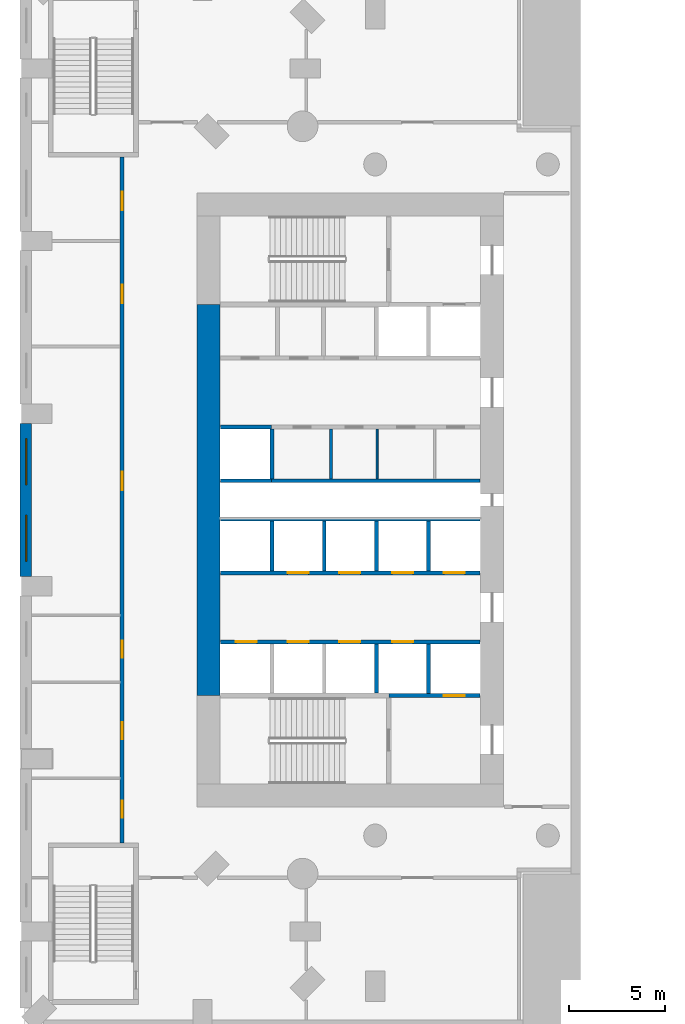
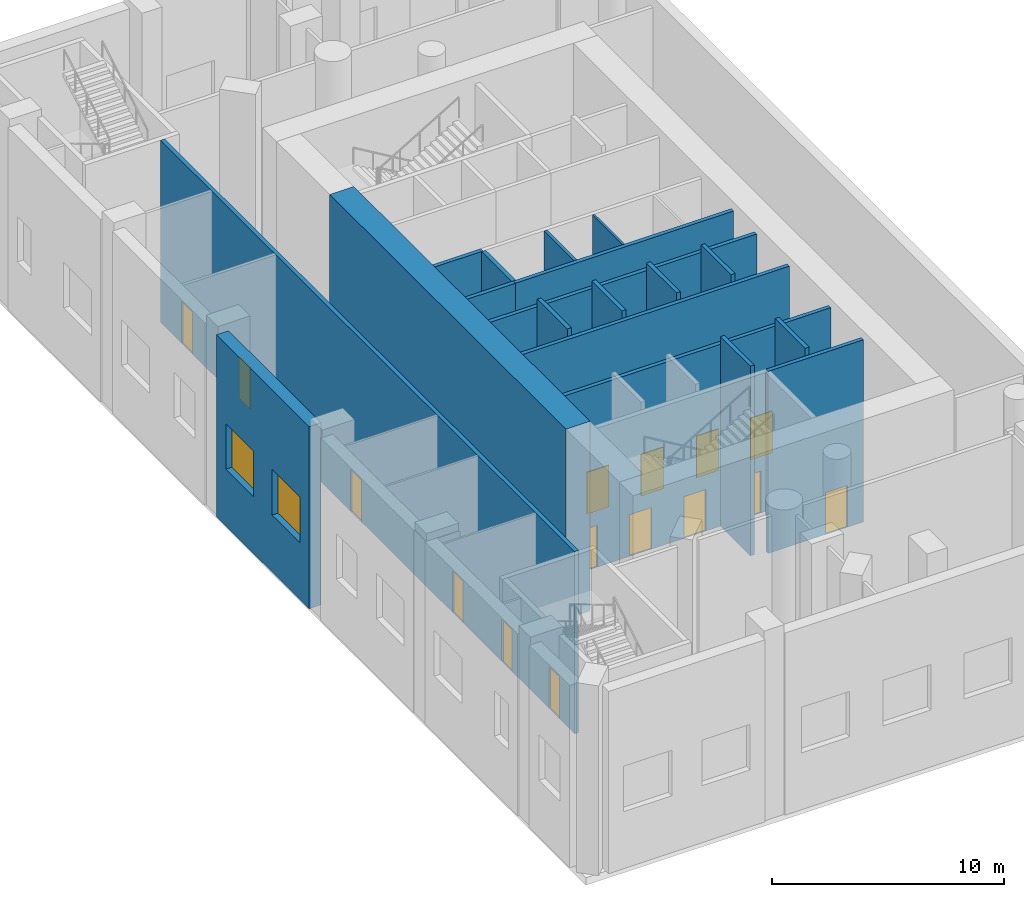
# One storey, part 3 of 16: 19 walls, 15 doors, 2 windows, 17 openings.
"""IFC4 building model written with IfcOpenShell, lengths in metres."""

from ifc_helpers import new_model, si_unit, direction, frame, frame_2d, origin, place, context, subcontext, project, spatial, rectangle, extrude, material, layer, layer_set, type_object, element, fill, save


model = new_model("IFC4")

# Units and contexts
model_context = context("Model", 3, precision=1e-05, world=origin(), true_north=direction((0.0, 1.0)))
body_context = subcontext(model_context, "Body", "Model", "MODEL_VIEW")
ifc_project = project(units=[si_unit("LENGTHUNIT", "METRE"), si_unit("AREAUNIT", "SQUARE_METRE"), si_unit("VOLUMEUNIT", "CUBIC_METRE"), si_unit("PLANEANGLEUNIT", "RADIAN"), si_unit("MASSUNIT", "GRAM", prefix="KILO")], contexts=[model_context])

# Site, building, storey
site_placement = place(None, origin())
site = spatial("IfcSite", under=ifc_project, at=site_placement, CompositionType="ELEMENT")
building_placement = place(site_placement, origin())
building = spatial("IfcBuilding", under=site, at=building_placement, Name="Cypress Arch Tower", CompositionType="ELEMENT")
storey_placement = place(building_placement, frame((0.0, 0.0, 9.0)))
storey = spatial("IfcBuildingStorey", under=building, at=storey_placement, Name="L01", CompositionType="ELEMENT", Elevation=9.0)

# Wall, openings, windows
ifc_material_1 = material(Name="Brick (red buff blend) on blockwork backing", Category="masonry")
ifc_layer_1 = layer(ifc_material_1, 0.60009765625)
ifc_layer_set_1 = layer_set([ifc_layer_1], Name="Brick base wall BW600")
wall_type_1 = type_object("IfcWallType", Name="Brick base wall BW600", PredefinedType="ELEMENTEDWALL", material=ifc_layer_set_1)
wall_1_placement = place(storey_placement, frame((-38.925048828125, 4.0, 0.0), z_axis=(0.0, 0.0, 1.0), x_axis=(0.0, -1.0, 0.0)))
wall_1 = element("IfcWall", 1, at=wall_1_placement, inside=storey, type_object=wall_type_1, Name="Brick wall L01 P04.3", PredefinedType="ELEMENTEDWALL", context=body_context, shape_type="SweptSolid", body=[
    extrude(rectangle(XDim=8.0, YDim=0.60009765625, at=frame_2d((4.0, 0.0))), origin(), (0.0, 0.0, 1.0), 9.60009765625),
])
opening_1_placement = place(wall_1_placement, frame((0.800048828125, 0.0, 3.0)))
opening_1 = element("IfcOpeningElement", 2, at=opening_1_placement, cuts=wall_1, Name="Opening W240P", PredefinedType="OPENING", context=body_context, shape_type="SweptSolid", body=[
    extrude(rectangle(XDim=2.39990234375, YDim=2.39990234375, at=frame_2d((1.199951171875, 1.199951171875))), frame((0.0, 0.31005859375, 0.0), z_axis=(0.0, -1.0, 0.0), x_axis=(1.0, 0.0, 0.0)), (0.0, 0.0, 1.0), 0.6201171875),
])
opening_2_placement = place(wall_1_placement, frame((4.800048828125, 0.0, 3.0)))
opening_2 = element("IfcOpeningElement", 3, at=opening_2_placement, cuts=wall_1, Name="Opening W240P", PredefinedType="OPENING", context=body_context, shape_type="SweptSolid", body=[
    extrude(rectangle(XDim=2.39990234375, YDim=2.39990234375, at=frame_2d((1.199951171875, 1.199951171875))), frame((0.0, 0.31005859375, 0.0), z_axis=(0.0, -1.0, 0.0), x_axis=(1.0, 0.0, 0.0)), (0.0, 0.0, 1.0), 0.6201171875),
])
ifc_material_2 = material(Name="Anodised aluminium, bronze finish, clear low-emissivity double glazing", Category="aluminium")
window_type = type_object("IfcWindowType", Name="Window Podium 2400x2400", PartitioningType="SINGLE_PANEL", PredefinedType="WINDOW", material=ifc_material_2)
window_1_placement = place(opening_1_placement, origin())
window_1 = element("IfcWindow", 4, at=window_1_placement, inside=storey, type_object=window_type, Name="Window L01 P04.3.1", OverallHeight=2.39990234375, OverallWidth=2.39990234375, PartitioningType="SINGLE_PANEL", PredefinedType="WINDOW", context=body_context, shape_type="SweptSolid", body=[
    extrude(rectangle(XDim=2.39990234375, YDim=2.39990234375, at=frame_2d((1.199951171875, 1.199951171875))), frame((0.0, 0.06005859375, 0.0), z_axis=(0.0, -1.0, 0.0), x_axis=(1.0, 0.0, 0.0)), (0.0, 0.0, 1.0), 0.06005859375),
])
fill(opening_1, window_1)
window_2_placement = place(opening_2_placement, origin())
window_2 = element("IfcWindow", 5, at=window_2_placement, inside=storey, type_object=window_type, Name="Window L01 P04.3.2", OverallHeight=2.39990234375, OverallWidth=2.39990234375, PartitioningType="SINGLE_PANEL", PredefinedType="WINDOW", context=body_context, shape_type="SweptSolid", body=[
    extrude(rectangle(XDim=2.39990234375, YDim=2.39990234375, at=frame_2d((1.199951171875, 1.199951171875))), frame((0.0, 0.06005859375, 0.0), z_axis=(0.0, -1.0, 0.0), x_axis=(1.0, 0.0, 0.0)), (0.0, 0.0, 1.0), 0.06005859375),
])
fill(opening_2, window_2)

# Wall
ifc_material_3 = material(Name="Concrete C80/95", Category="concrete")
ifc_layer_2 = layer(ifc_material_3, 1.199951171875)
ifc_layer_set_2 = layer_set([ifc_layer_2], Name="Core wall CW1200 C80/95")
wall_type_2 = type_object("IfcWallType", Name="Core wall CW1200 C80/95", PredefinedType="SHEAR", material=ifc_layer_set_2)
wall_2_placement = place(storey_placement, frame((-29.39990234375, -10.199951171875, 0.0), z_axis=(0.0, 0.0, 1.0), x_axis=(0.0, 1.0, 0.0)))
element("IfcWall", 6, at=wall_2_placement, inside=storey, type_object=wall_type_2, Name="Core wall", PredefinedType="SHEAR", context=body_context, shape_type="SweptSolid", body=[
    extrude(rectangle(XDim=20.39990234375, YDim=1.199951171875, at=frame_2d((10.199951171875, 0.0))), origin(), (0.0, 0.0, 1.0), 10.0),
])

# Wall, openings, doors
ifc_material_4 = material(Name="Concrete blockwork, plastered, rated", Category="masonry")
ifc_layer_3 = layer(ifc_material_4, 0.199951171875)
ifc_layer_set_3 = layer_set([ifc_layer_3], Name="Corridor wall FW200")
wall_type_3 = type_object("IfcWallType", Name="Corridor wall FW200", PredefinedType="PARTITIONING", material=ifc_layer_set_3)
wall_3_placement = place(storey_placement, frame((-33.89990234375, -17.8798828125, 0.0), z_axis=(0.0, 0.0, 1.0), x_axis=(0.0, 1.0, 0.0)))
wall_3 = element("IfcWall", 7, at=wall_3_placement, inside=storey, type_object=wall_type_3, Name="Corridor wall", PredefinedType="PARTITIONING", context=body_context, shape_type="SweptSolid", body=[
    extrude(rectangle(XDim=35.759765625, YDim=0.199951171875, at=frame_2d((17.8798828125, 0.0))), origin(), (0.0, 0.0, 1.0), 9.597900390625),
])
opening_3_placement = place(wall_3_placement, frame((1.300048828125, 0.0, 0.0)))
opening_3 = element("IfcOpeningElement", 8, at=opening_3_placement, cuts=wall_3, Name="Opening D03", PredefinedType="OPENING", context=body_context, shape_type="SweptSolid", body=[
    extrude(rectangle(XDim=0.89990234375, YDim=2.199951171875, at=frame_2d((0.449951171875, 1.10009765625))), frame((0.0, 0.10986328125, 0.0), z_axis=(0.0, -1.0, 0.0), x_axis=(1.0, 0.0, 0.0)), (0.0, 0.0, 1.0), 0.219970703125),
])
opening_4_placement = place(wall_3_placement, frame((5.39990234375, 0.0, 0.0)))
opening_4 = element("IfcOpeningElement", 9, at=opening_4_placement, cuts=wall_3, Name="Opening D03", PredefinedType="OPENING", context=body_context, shape_type="SweptSolid", body=[
    extrude(rectangle(XDim=0.89990234375, YDim=2.199951171875, at=frame_2d((0.449951171875, 1.10009765625))), frame((0.0, 0.10986328125, 0.0), z_axis=(0.0, -1.0, 0.0), x_axis=(1.0, 0.0, 0.0)), (0.0, 0.0, 1.0), 0.219970703125),
])
opening_5_placement = place(wall_3_placement, frame((9.64990234375, 0.0, 0.0)))
opening_5 = element("IfcOpeningElement", 10, at=opening_5_placement, cuts=wall_3, Name="Opening D03", PredefinedType="OPENING", context=body_context, shape_type="SweptSolid", body=[
    extrude(rectangle(XDim=0.89990234375, YDim=2.199951171875, at=frame_2d((0.449951171875, 1.10009765625))), frame((0.0, 0.10986328125, 0.0), z_axis=(0.0, -1.0, 0.0), x_axis=(1.0, 0.0, 0.0)), (0.0, 0.0, 1.0), 0.219970703125),
])
opening_6_placement = place(wall_3_placement, frame((18.39990234375, 0.0, 0.0)))
opening_6 = element("IfcOpeningElement", 11, at=opening_6_placement, cuts=wall_3, Name="Opening D02", PredefinedType="OPENING", context=body_context, shape_type="SweptSolid", body=[
    extrude(rectangle(XDim=0.949951171875, YDim=2.199951171875, at=frame_2d((0.47509765625, 1.10009765625))), frame((0.0, 0.10986328125, 0.0), z_axis=(0.0, -1.0, 0.0), x_axis=(1.0, 0.0, 0.0)), (0.0, 0.0, 1.0), 0.219970703125),
])
opening_7_placement = place(wall_3_placement, frame((28.14990234375, 0.0, 0.0)))
opening_7 = element("IfcOpeningElement", 12, at=opening_7_placement, cuts=wall_3, Name="Opening D02", PredefinedType="OPENING", context=body_context, shape_type="SweptSolid", body=[
    extrude(rectangle(XDim=0.949951171875, YDim=2.199951171875, at=frame_2d((0.47509765625, 1.10009765625))), frame((0.0, 0.10986328125, 0.0), z_axis=(0.0, -1.0, 0.0), x_axis=(1.0, 0.0, 0.0)), (0.0, 0.0, 1.0), 0.219970703125),
])
opening_8_placement = place(wall_3_placement, frame((33.0, 0.0, 0.0)))
opening_8 = element("IfcOpeningElement", 13, at=opening_8_placement, cuts=wall_3, Name="Opening D02", PredefinedType="OPENING", context=body_context, shape_type="SweptSolid", body=[
    extrude(rectangle(XDim=0.949951171875, YDim=2.199951171875, at=frame_2d((0.47509765625, 1.10009765625))), frame((0.0, 0.10986328125, 0.0), z_axis=(0.0, -1.0, 0.0), x_axis=(1.0, 0.0, 0.0)), (0.0, 0.0, 1.0), 0.219970703125),
])
ifc_material_5 = material(Name="Timber flush door, moisture resistant", Category="wood")
door_type_1 = type_object("IfcDoorType", Name="Bathroom door D03 900x2200", OperationType="SINGLE_SWING_LEFT", PredefinedType="DOOR", material=ifc_material_5)
door_1_placement = place(opening_3_placement, origin())
door_1 = element("IfcDoor", 14, at=door_1_placement, inside=storey, type_object=door_type_1, Name="Bathroom door", OperationType="SINGLE_SWING_RIGHT", OverallHeight=2.199951171875, OverallWidth=0.89990234375, PredefinedType="DOOR", context=body_context, shape_type="SweptSolid", body=[
    extrude(rectangle(XDim=0.89990234375, YDim=2.199951171875, at=frame_2d((0.449951171875, 1.10009765625))), frame((0.0, 0.02490234375, 0.0), z_axis=(0.0, -1.0, 0.0), x_axis=(1.0, 0.0, 0.0)), (0.0, 0.0, 1.0), 0.050048828125),
])
fill(opening_3, door_1)
door_2_placement = place(opening_4_placement, origin())
door_2 = element("IfcDoor", 15, at=door_2_placement, inside=storey, type_object=door_type_1, Name="Bathroom door", OperationType="SINGLE_SWING_LEFT", OverallHeight=2.199951171875, OverallWidth=0.89990234375, PredefinedType="DOOR", context=body_context, shape_type="SweptSolid", body=[
    extrude(rectangle(XDim=0.89990234375, YDim=2.199951171875, at=frame_2d((0.449951171875, 1.10009765625))), frame((0.0, 0.02490234375, 0.0), z_axis=(0.0, -1.0, 0.0), x_axis=(1.0, 0.0, 0.0)), (0.0, 0.0, 1.0), 0.050048828125),
])
fill(opening_4, door_2)
door_3_placement = place(opening_5_placement, origin())
door_3 = element("IfcDoor", 16, at=door_3_placement, inside=storey, type_object=door_type_1, Name="Bathroom door", OperationType="SINGLE_SWING_LEFT", OverallHeight=2.199951171875, OverallWidth=0.89990234375, PredefinedType="DOOR", context=body_context, shape_type="SweptSolid", body=[
    extrude(rectangle(XDim=0.89990234375, YDim=2.199951171875, at=frame_2d((0.449951171875, 1.10009765625))), frame((0.0, 0.02490234375, 0.0), z_axis=(0.0, -1.0, 0.0), x_axis=(1.0, 0.0, 0.0)), (0.0, 0.0, 1.0), 0.050048828125),
])
fill(opening_5, door_3)
ifc_material_6 = material(Name="Timber flush door, fire resisting", Category="wood")
door_type_2 = type_object("IfcDoorType", Name="Room door D02 950x2200", OperationType="SINGLE_SWING_LEFT", PredefinedType="DOOR", material=ifc_material_6)
door_4_placement = place(opening_6_placement, origin())
door_4 = element("IfcDoor", 17, at=door_4_placement, inside=storey, type_object=door_type_2, Name="Room door", OperationType="SINGLE_SWING_RIGHT", OverallHeight=2.199951171875, OverallWidth=0.949951171875, PredefinedType="DOOR", context=body_context, shape_type="SweptSolid", body=[
    extrude(rectangle(XDim=0.949951171875, YDim=2.199951171875, at=frame_2d((0.47509765625, 1.10009765625))), frame((0.0, 0.02490234375, 0.0), z_axis=(0.0, -1.0, 0.0), x_axis=(1.0, 0.0, 0.0)), (0.0, 0.0, 1.0), 0.050048828125),
])
fill(opening_6, door_4)
door_5_placement = place(opening_7_placement, origin())
door_5 = element("IfcDoor", 18, at=door_5_placement, inside=storey, type_object=door_type_2, Name="Room door", OperationType="SINGLE_SWING_LEFT", OverallHeight=2.199951171875, OverallWidth=0.949951171875, PredefinedType="DOOR", context=body_context, shape_type="SweptSolid", body=[
    extrude(rectangle(XDim=0.949951171875, YDim=2.199951171875, at=frame_2d((0.47509765625, 1.10009765625))), frame((0.0, 0.02490234375, 0.0), z_axis=(0.0, -1.0, 0.0), x_axis=(1.0, 0.0, 0.0)), (0.0, 0.0, 1.0), 0.050048828125),
])
fill(opening_7, door_5)
door_6_placement = place(opening_8_placement, origin())
door_6 = element("IfcDoor", 19, at=door_6_placement, inside=storey, type_object=door_type_2, Name="Room door", OperationType="SINGLE_SWING_LEFT", OverallHeight=2.199951171875, OverallWidth=0.949951171875, PredefinedType="DOOR", context=body_context, shape_type="SweptSolid", body=[
    extrude(rectangle(XDim=0.949951171875, YDim=2.199951171875, at=frame_2d((0.47509765625, 1.10009765625))), frame((0.0, 0.02490234375, 0.0), z_axis=(0.0, -1.0, 0.0), x_axis=(1.0, 0.0, 0.0)), (0.0, 0.0, 1.0), 0.050048828125),
])
fill(opening_8, door_6)

# Walls
ifc_material_7 = material(Name="Blockwork, plastered both sides", Category="masonry")
ifc_layer_4 = layer(ifc_material_7, 0.14990234375)
ifc_layer_set_4 = layer_set([ifc_layer_4], Name="Partition PW150")
wall_type_4 = type_object("IfcWallType", Name="Partition PW150", PredefinedType="PARTITIONING", material=ifc_layer_set_4)
wall_4_placement = place(storey_placement, frame((-23.0, 1.10009765625, 0.0), z_axis=(0.0, 0.0, 1.0), x_axis=(0.0, 1.0, 0.0)))
element("IfcWall", 20, at=wall_4_placement, inside=storey, type_object=wall_type_4, Name="Partition", PredefinedType="PARTITIONING", context=body_context, shape_type="SweptSolid", body=[
    extrude(rectangle(XDim=2.599853515625, YDim=0.14990234375, at=frame_2d((1.2998046875, 0.0))), origin(), (0.0, 0.0, 1.0), 9.597900390625),
])
ifc_material_8 = material(Name="Reinforced blockwork, plastered, rated", Category="masonry")
ifc_layer_5 = layer(ifc_material_8, 0.199951171875)
ifc_layer_set_5 = layer_set([ifc_layer_5], Name="Plant and riser wall PL200")
wall_type_5 = type_object("IfcWallType", Name="Plant and riser wall PL200", PredefinedType="PARTITIONING", material=ifc_layer_set_5)
wall_5_placement = place(storey_placement, frame((-26.10009765625, 1.0, 0.0), z_axis=(0.0, 0.0, 1.0), x_axis=(1.0, 0.0, 0.0)))
element("IfcWall", 21, at=wall_5_placement, inside=storey, type_object=wall_type_5, Name="Plant and riser wall", PredefinedType="PARTITIONING", context=body_context, shape_type="SweptSolid", body=[
    extrude(rectangle(XDim=10.8701171875, YDim=0.199951171875, at=frame_2d((5.43505859375, 0.0))), origin(), (0.0, 0.0, 1.0), 9.597900390625),
])

# Wall, openings, doors
ifc_material_9 = material(Name="Concrete C50/60", Category="concrete")
ifc_layer_6 = layer(ifc_material_9, 0.199951171875)
ifc_layer_set_6 = layer_set([ifc_layer_6], Name="Shaft wall SH200")
wall_type_6 = type_object("IfcWallType", Name="Shaft wall SH200", PredefinedType="SHEAR", material=ifc_layer_set_6)
wall_6_placement = place(storey_placement, frame((-28.77001953125, -7.39990234375, 0.0), z_axis=(0.0, 0.0, 1.0), x_axis=(1.0, 0.0, 0.0)))
wall_6 = element("IfcWall", 22, at=wall_6_placement, inside=storey, type_object=wall_type_6, Name="Shaft wall", PredefinedType="SHEAR", context=body_context, shape_type="SweptSolid", body=[
    extrude(rectangle(XDim=13.5400390625, YDim=0.199951171875, at=frame_2d((6.77001953125, 0.0))), origin(), (0.0, 0.0, 1.0), 9.597900390625),
])
opening_9_placement = place(wall_6_placement, frame((0.800048828125, 0.0, 0.0)))
opening_9 = element("IfcOpeningElement", 23, at=opening_9_placement, cuts=wall_6, Name="Opening LD-LR1", PredefinedType="OPENING", context=body_context, shape_type="SweptSolid", body=[
    extrude(rectangle(XDim=1.10009765625, YDim=2.199951171875, at=frame_2d((0.550048828125, 1.10009765625))), frame((0.0, 0.10986328125, 0.0), z_axis=(0.0, -1.0, 0.0), x_axis=(1.0, 0.0, 0.0)), (0.0, 0.0, 1.0), 0.219970703125),
])
opening_10_placement = place(wall_6_placement, frame((3.5, 0.0, 0.0)))
opening_10 = element("IfcOpeningElement", 24, at=opening_10_placement, cuts=wall_6, Name="Opening LD-LR2", PredefinedType="OPENING", context=body_context, shape_type="SweptSolid", body=[
    extrude(rectangle(XDim=1.10009765625, YDim=2.199951171875, at=frame_2d((0.550048828125, 1.10009765625))), frame((0.0, 0.10986328125, 0.0), z_axis=(0.0, -1.0, 0.0), x_axis=(1.0, 0.0, 0.0)), (0.0, 0.0, 1.0), 0.219970703125),
])
opening_11_placement = place(wall_6_placement, frame((6.199951171875, 0.0, 0.0)))
opening_11 = element("IfcOpeningElement", 25, at=opening_11_placement, cuts=wall_6, Name="Opening LD-LR3", PredefinedType="OPENING", context=body_context, shape_type="SweptSolid", body=[
    extrude(rectangle(XDim=1.10009765625, YDim=2.199951171875, at=frame_2d((0.550048828125, 1.10009765625))), frame((0.0, 0.10986328125, 0.0), z_axis=(0.0, -1.0, 0.0), x_axis=(1.0, 0.0, 0.0)), (0.0, 0.0, 1.0), 0.219970703125),
])
opening_12_placement = place(wall_6_placement, frame((8.949951171875, 0.0, 0.0)))
opening_12 = element("IfcOpeningElement", 26, at=opening_12_placement, cuts=wall_6, Name="Opening LD-LR4", PredefinedType="OPENING", context=body_context, shape_type="SweptSolid", body=[
    extrude(rectangle(XDim=1.10009765625, YDim=2.199951171875, at=frame_2d((0.550048828125, 1.10009765625))), frame((0.0, 0.10986328125, 0.0), z_axis=(0.0, -1.0, 0.0), x_axis=(1.0, 0.0, 0.0)), (0.0, 0.0, 1.0), 0.219970703125),
])
ifc_material_10 = material(Name="Stainless steel centre-opening landing door, rated", Category="steel")
door_type_3 = type_object("IfcDoorType", Name="Lift landing door LD 1100x2200", OperationType="DOUBLE_DOOR_SLIDING", PredefinedType="DOOR", material=ifc_material_10)
door_7_placement = place(opening_9_placement, origin())
door_7 = element("IfcDoor", 27, at=door_7_placement, inside=storey, type_object=door_type_3, Name="Lift landing doors LR1", OperationType="DOUBLE_DOOR_SLIDING", OverallHeight=2.199951171875, OverallWidth=1.10009765625, PredefinedType="DOOR", context=body_context, shape_type="SweptSolid", body=[
    extrude(rectangle(XDim=1.10009765625, YDim=2.199951171875, at=frame_2d((0.550048828125, 1.10009765625))), frame((0.0, 0.02490234375, 0.0), z_axis=(0.0, -1.0, 0.0), x_axis=(1.0, 0.0, 0.0)), (0.0, 0.0, 1.0), 0.050048828125),
])
fill(opening_9, door_7)
door_8_placement = place(opening_10_placement, origin())
door_8 = element("IfcDoor", 28, at=door_8_placement, inside=storey, type_object=door_type_3, Name="Lift landing doors LR2", OperationType="DOUBLE_DOOR_SLIDING", OverallHeight=2.199951171875, OverallWidth=1.10009765625, PredefinedType="DOOR", context=body_context, shape_type="SweptSolid", body=[
    extrude(rectangle(XDim=1.10009765625, YDim=2.199951171875, at=frame_2d((0.550048828125, 1.10009765625))), frame((0.0, 0.02490234375, 0.0), z_axis=(0.0, -1.0, 0.0), x_axis=(1.0, 0.0, 0.0)), (0.0, 0.0, 1.0), 0.050048828125),
])
fill(opening_10, door_8)
door_9_placement = place(opening_11_placement, origin())
door_9 = element("IfcDoor", 29, at=door_9_placement, inside=storey, type_object=door_type_3, Name="Lift landing doors LR3", OperationType="DOUBLE_DOOR_SLIDING", OverallHeight=2.199951171875, OverallWidth=1.10009765625, PredefinedType="DOOR", context=body_context, shape_type="SweptSolid", body=[
    extrude(rectangle(XDim=1.10009765625, YDim=2.199951171875, at=frame_2d((0.550048828125, 1.10009765625))), frame((0.0, 0.02490234375, 0.0), z_axis=(0.0, -1.0, 0.0), x_axis=(1.0, 0.0, 0.0)), (0.0, 0.0, 1.0), 0.050048828125),
])
fill(opening_11, door_9)
door_10_placement = place(opening_12_placement, origin())
door_10 = element("IfcDoor", 30, at=door_10_placement, inside=storey, type_object=door_type_3, Name="Lift landing doors LR4", OperationType="DOUBLE_DOOR_SLIDING", OverallHeight=2.199951171875, OverallWidth=1.10009765625, PredefinedType="DOOR", context=body_context, shape_type="SweptSolid", body=[
    extrude(rectangle(XDim=1.10009765625, YDim=2.199951171875, at=frame_2d((0.550048828125, 1.10009765625))), frame((0.0, 0.02490234375, 0.0), z_axis=(0.0, -1.0, 0.0), x_axis=(1.0, 0.0, 0.0)), (0.0, 0.0, 1.0), 0.050048828125),
])
fill(opening_12, door_10)

wall_7_placement = place(storey_placement, frame((-28.77001953125, -3.800048828125, 0.0), z_axis=(0.0, 0.0, 1.0), x_axis=(1.0, 0.0, 0.0)))
wall_7 = element("IfcWall", 31, at=wall_7_placement, inside=storey, type_object=wall_type_6, Name="Shaft wall", PredefinedType="SHEAR", context=body_context, shape_type="SweptSolid", body=[
    extrude(rectangle(XDim=13.5400390625, YDim=0.199951171875, at=frame_2d((6.77001953125, 0.0))), origin(), (0.0, 0.0, 1.0), 9.597900390625),
])
opening_13_placement = place(wall_7_placement, frame((3.5, 0.0, 0.0)))
opening_13 = element("IfcOpeningElement", 32, at=opening_13_placement, cuts=wall_7, Name="Opening LD-LR5", PredefinedType="OPENING", context=body_context, shape_type="SweptSolid", body=[
    extrude(rectangle(XDim=1.10009765625, YDim=2.199951171875, at=frame_2d((0.550048828125, 1.10009765625))), frame((0.0, 0.10986328125, 0.0), z_axis=(0.0, -1.0, 0.0), x_axis=(1.0, 0.0, 0.0)), (0.0, 0.0, 1.0), 0.219970703125),
])
opening_14_placement = place(wall_7_placement, frame((6.199951171875, 0.0, 0.0)))
opening_14 = element("IfcOpeningElement", 33, at=opening_14_placement, cuts=wall_7, Name="Opening LD-LR6", PredefinedType="OPENING", context=body_context, shape_type="SweptSolid", body=[
    extrude(rectangle(XDim=1.10009765625, YDim=2.199951171875, at=frame_2d((0.550048828125, 1.10009765625))), frame((0.0, 0.10986328125, 0.0), z_axis=(0.0, -1.0, 0.0), x_axis=(1.0, 0.0, 0.0)), (0.0, 0.0, 1.0), 0.219970703125),
])
opening_15_placement = place(wall_7_placement, frame((8.949951171875, 0.0, 0.0)))
opening_15 = element("IfcOpeningElement", 34, at=opening_15_placement, cuts=wall_7, Name="Opening LD-LR7", PredefinedType="OPENING", context=body_context, shape_type="SweptSolid", body=[
    extrude(rectangle(XDim=1.10009765625, YDim=2.199951171875, at=frame_2d((0.550048828125, 1.10009765625))), frame((0.0, 0.10986328125, 0.0), z_axis=(0.0, -1.0, 0.0), x_axis=(1.0, 0.0, 0.0)), (0.0, 0.0, 1.0), 0.219970703125),
])
opening_16_placement = place(wall_7_placement, frame((11.64990234375, 0.0, 0.0)))
opening_16 = element("IfcOpeningElement", 35, at=opening_16_placement, cuts=wall_7, Name="Opening LD-LR8", PredefinedType="OPENING", context=body_context, shape_type="SweptSolid", body=[
    extrude(rectangle(XDim=1.10009765625, YDim=2.199951171875, at=frame_2d((0.550048828125, 1.10009765625))), frame((0.0, 0.10986328125, 0.0), z_axis=(0.0, -1.0, 0.0), x_axis=(1.0, 0.0, 0.0)), (0.0, 0.0, 1.0), 0.219970703125),
])
door_11_placement = place(opening_13_placement, origin())
door_11 = element("IfcDoor", 36, at=door_11_placement, inside=storey, type_object=door_type_3, Name="Lift landing doors LR5", OperationType="DOUBLE_DOOR_SLIDING", OverallHeight=2.199951171875, OverallWidth=1.10009765625, PredefinedType="DOOR", context=body_context, shape_type="SweptSolid", body=[
    extrude(rectangle(XDim=1.10009765625, YDim=2.199951171875, at=frame_2d((0.550048828125, 1.10009765625))), frame((0.0, 0.02490234375, 0.0), z_axis=(0.0, -1.0, 0.0), x_axis=(1.0, 0.0, 0.0)), (0.0, 0.0, 1.0), 0.050048828125),
])
fill(opening_13, door_11)
door_12_placement = place(opening_14_placement, origin())
door_12 = element("IfcDoor", 37, at=door_12_placement, inside=storey, type_object=door_type_3, Name="Lift landing doors LR6", OperationType="DOUBLE_DOOR_SLIDING", OverallHeight=2.199951171875, OverallWidth=1.10009765625, PredefinedType="DOOR", context=body_context, shape_type="SweptSolid", body=[
    extrude(rectangle(XDim=1.10009765625, YDim=2.199951171875, at=frame_2d((0.550048828125, 1.10009765625))), frame((0.0, 0.02490234375, 0.0), z_axis=(0.0, -1.0, 0.0), x_axis=(1.0, 0.0, 0.0)), (0.0, 0.0, 1.0), 0.050048828125),
])
fill(opening_14, door_12)
door_13_placement = place(opening_15_placement, origin())
door_13 = element("IfcDoor", 38, at=door_13_placement, inside=storey, type_object=door_type_3, Name="Lift landing doors LR7", OperationType="DOUBLE_DOOR_SLIDING", OverallHeight=2.199951171875, OverallWidth=1.10009765625, PredefinedType="DOOR", context=body_context, shape_type="SweptSolid", body=[
    extrude(rectangle(XDim=1.10009765625, YDim=2.199951171875, at=frame_2d((0.550048828125, 1.10009765625))), frame((0.0, 0.02490234375, 0.0), z_axis=(0.0, -1.0, 0.0), x_axis=(1.0, 0.0, 0.0)), (0.0, 0.0, 1.0), 0.050048828125),
])
fill(opening_15, door_13)
door_14_placement = place(opening_16_placement, origin())
door_14 = element("IfcDoor", 39, at=door_14_placement, inside=storey, type_object=door_type_3, Name="Lift landing doors LR8", OperationType="DOUBLE_DOOR_SLIDING", OverallHeight=2.199951171875, OverallWidth=1.10009765625, PredefinedType="DOOR", context=body_context, shape_type="SweptSolid", body=[
    extrude(rectangle(XDim=1.10009765625, YDim=2.199951171875, at=frame_2d((0.550048828125, 1.10009765625))), frame((0.0, 0.02490234375, 0.0), z_axis=(0.0, -1.0, 0.0), x_axis=(1.0, 0.0, 0.0)), (0.0, 0.0, 1.0), 0.050048828125),
])
fill(opening_16, door_14)

# Walls
wall_8_placement = place(storey_placement, frame((-28.77001953125, -1.0, 0.0), z_axis=(0.0, 0.0, 1.0), x_axis=(1.0, 0.0, 0.0)))
element("IfcWall", 40, at=wall_8_placement, inside=storey, type_object=wall_type_6, Name="Shaft wall", PredefinedType="SHEAR", context=body_context, shape_type="SweptSolid", body=[
    extrude(rectangle(XDim=13.5400390625, YDim=0.199951171875, at=frame_2d((6.77001953125, 0.0))), origin(), (0.0, 0.0, 1.0), 9.597900390625),
])
for number, where, z_axis, x_axis, name in (
    (41, (-28.77001953125, 1.0, 0.0), (0.0, 0.0, 1.0), (1.0, 0.0, 0.0), "Shaft wall"),
    (42, (-28.77001953125, 3.800048828125, 0.0), (0.0, 0.0, 1.0), (1.0, 0.0, 0.0), "Shaft wall"),
):
    element("IfcWall", number, at=place(storey_placement, frame(where, z_axis=z_axis, x_axis=x_axis)), inside=storey, type_object=wall_type_6, Name=name, PredefinedType="SHEAR", context=body_context, shape_type="SweptSolid", body=[
        extrude(rectangle(XDim=2.669921875, YDim=0.199951171875, at=frame_2d((1.3349609375, 0.0))), origin(), (0.0, 0.0, 1.0), 9.597900390625),
    ])
wall_9_placement = place(storey_placement, frame((-26.080078125, -3.699951171875, 0.0), z_axis=(0.0, 0.0, 1.0), x_axis=(0.0, 1.0, 0.0)))
element("IfcWall", 43, at=wall_9_placement, inside=storey, type_object=wall_type_6, Name="Shaft wall", PredefinedType="SHEAR", context=body_context, shape_type="SweptSolid", body=[
    extrude(rectangle(XDim=2.599853515625, YDim=0.199951171875, at=frame_2d((1.2998046875, 0.0))), origin(), (0.0, 0.0, 1.0), 10.0),
])
wall_10_placement = place(storey_placement, frame((-26.080078125, 1.10009765625, 0.0), z_axis=(0.0, 0.0, 1.0), x_axis=(0.0, 1.0, 0.0)))
element("IfcWall", 44, at=wall_10_placement, inside=storey, type_object=wall_type_6, Name="Shaft wall", PredefinedType="SHEAR", context=body_context, shape_type="SweptSolid", body=[
    extrude(rectangle(XDim=2.599853515625, YDim=0.199951171875, at=frame_2d((1.2998046875, 0.0))), origin(), (0.0, 0.0, 1.0), 9.597900390625),
])
wall_11_placement = place(storey_placement, frame((-23.360107421875, -3.699951171875, 0.0), z_axis=(0.0, 0.0, 1.0), x_axis=(0.0, 1.0, 0.0)))
element("IfcWall", 45, at=wall_11_placement, inside=storey, type_object=wall_type_6, Name="Shaft wall", PredefinedType="SHEAR", context=body_context, shape_type="SweptSolid", body=[
    extrude(rectangle(XDim=2.599853515625, YDim=0.199951171875, at=frame_2d((1.2998046875, 0.0))), origin(), (0.0, 0.0, 1.0), 10.0),
])
wall_12_placement = place(storey_placement, frame((-20.639892578125, -10.074951171875, 0.0), z_axis=(0.0, 0.0, 1.0), x_axis=(0.0, 1.0, 0.0)))
element("IfcWall", 46, at=wall_12_placement, inside=storey, type_object=wall_type_6, Name="Shaft wall", PredefinedType="SHEAR", context=body_context, shape_type="SweptSolid", body=[
    extrude(rectangle(XDim=2.574951171875, YDim=0.199951171875, at=frame_2d((1.28759765625, 0.0))), origin(), (0.0, 0.0, 1.0), 10.0),
])
wall_13_placement = place(storey_placement, frame((-20.639892578125, -3.699951171875, 0.0), z_axis=(0.0, 0.0, 1.0), x_axis=(0.0, 1.0, 0.0)))
element("IfcWall", 47, at=wall_13_placement, inside=storey, type_object=wall_type_6, Name="Shaft wall", PredefinedType="SHEAR", context=body_context, shape_type="SweptSolid", body=[
    extrude(rectangle(XDim=2.599853515625, YDim=0.199951171875, at=frame_2d((1.2998046875, 0.0))), origin(), (0.0, 0.0, 1.0), 10.0),
])

# Wall, opening, door
wall_14_placement = place(storey_placement, frame((-19.97998046875, -10.199951171875, 0.0), z_axis=(0.0, 0.0, 1.0), x_axis=(1.0, 0.0, 0.0)))
wall_14 = element("IfcWall", 48, at=wall_14_placement, inside=storey, type_object=wall_type_6, Name="Shaft wall", PredefinedType="SHEAR", context=body_context, shape_type="SweptSolid", body=[
    extrude(rectangle(XDim=4.75, YDim=0.199951171875, at=frame_2d((2.375, 0.0))), origin(), (0.0, 0.0, 1.0), 9.597900390625),
])
opening_17_placement = place(wall_14_placement, frame((2.85009765625, 0.0, 0.0)))
opening_17 = element("IfcOpeningElement", 49, at=opening_17_placement, cuts=wall_14, Name="Opening LD-FL1", PredefinedType="OPENING", context=body_context, shape_type="SweptSolid", body=[
    extrude(rectangle(XDim=1.10009765625, YDim=2.199951171875, at=frame_2d((0.550048828125, 1.10009765625))), frame((0.0, 0.10986328125, 0.0), z_axis=(0.0, -1.0, 0.0), x_axis=(1.0, 0.0, 0.0)), (0.0, 0.0, 1.0), 0.219970703125),
])
door_15_placement = place(opening_17_placement, origin())
door_15 = element("IfcDoor", 50, at=door_15_placement, inside=storey, type_object=door_type_3, Name="Lift landing doors FL1", OperationType="DOUBLE_DOOR_SLIDING", OverallHeight=2.199951171875, OverallWidth=1.10009765625, PredefinedType="DOOR", context=body_context, shape_type="SweptSolid", body=[
    extrude(rectangle(XDim=1.10009765625, YDim=2.199951171875, at=frame_2d((0.550048828125, 1.10009765625))), frame((0.0, 0.02490234375, 0.0), z_axis=(0.0, -1.0, 0.0), x_axis=(1.0, 0.0, 0.0)), (0.0, 0.0, 1.0), 0.050048828125),
])
fill(opening_17, door_15)

# Walls
wall_15_placement = place(storey_placement, frame((-17.919921875, -10.10009765625, 0.0), z_axis=(0.0, 0.0, 1.0), x_axis=(0.0, 1.0, 0.0)))
element("IfcWall", 51, at=wall_15_placement, inside=storey, type_object=wall_type_6, Name="Shaft wall", PredefinedType="SHEAR", context=body_context, shape_type="SweptSolid", body=[
    extrude(rectangle(XDim=2.60009765625, YDim=0.199951171875, at=frame_2d((1.300048828125, 0.0))), origin(), (0.0, 0.0, 1.0), 10.0),
])
wall_16_placement = place(storey_placement, frame((-17.919921875, -3.699951171875, 0.0), z_axis=(0.0, 0.0, 1.0), x_axis=(0.0, 1.0, 0.0)))
element("IfcWall", 52, at=wall_16_placement, inside=storey, type_object=wall_type_6, Name="Shaft wall", PredefinedType="SHEAR", context=body_context, shape_type="SweptSolid", body=[
    extrude(rectangle(XDim=2.599853515625, YDim=0.199951171875, at=frame_2d((1.2998046875, 0.0))), origin(), (0.0, 0.0, 1.0), 10.0),
])
ifc_material_11 = material(Name="Moisture resistant board on steel studs, tiled", Category="steel")
ifc_layer_7 = layer(ifc_material_11, 0.10009765625)
ifc_layer_set_7 = layer_set([ifc_layer_7], Name="Wet wall PW100")
wall_type_7 = type_object("IfcWallType", Name="Wet wall PW100", PredefinedType="PARTITIONING", material=ifc_layer_set_7)
wall_17_placement = place(storey_placement, frame((-20.60009765625, 1.10009765625, 0.0), z_axis=(0.0, 0.0, 1.0), x_axis=(0.0, 1.0, 0.0)))
element("IfcWall", 53, at=wall_17_placement, inside=storey, type_object=wall_type_7, Name="Wet wall", PredefinedType="PARTITIONING", context=body_context, shape_type="SweptSolid", body=[
    extrude(rectangle(XDim=2.599853515625, YDim=0.10009765625, at=frame_2d((1.2998046875, 0.0))), origin(), (0.0, 0.0, 1.0), 9.597900390625),
])

save(model, "model.ifc")
